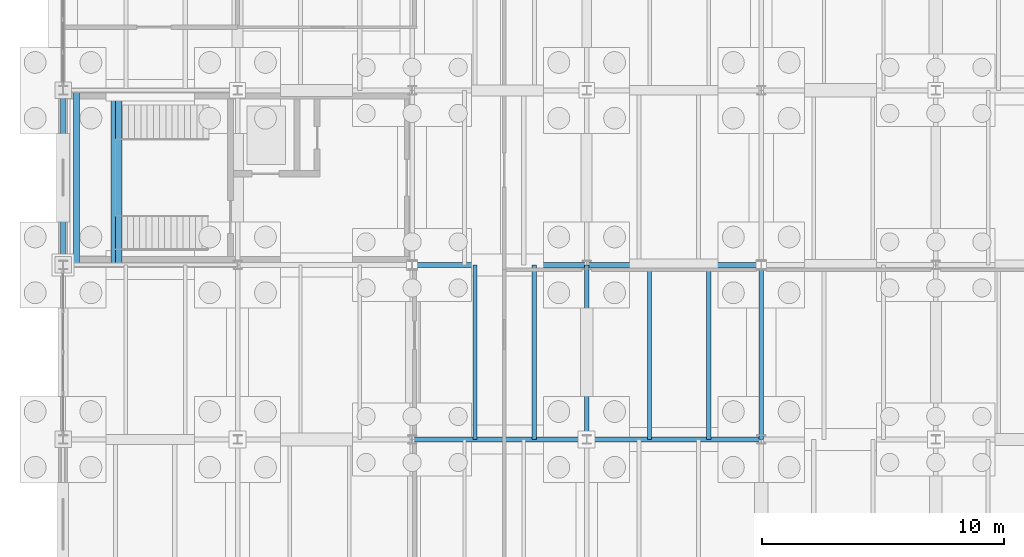
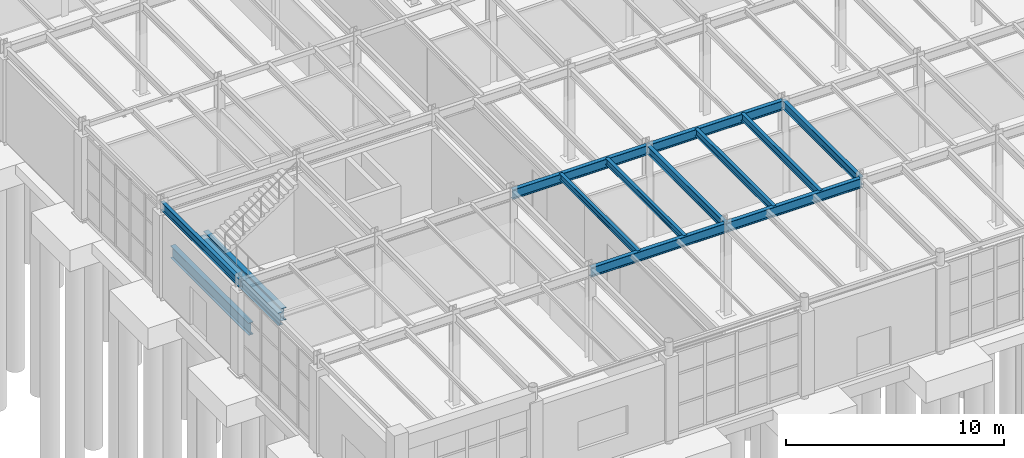
# One storey, part 45 of 293: 14 beams.
"""IFC4 building model written with IfcOpenShell, lengths in metres."""

from ifc_helpers import new_model, si_unit, direction, frame, origin, origin_2d, place, context, subcontext, project, spatial, i_section, extrude, material, material_profile, profile_set, type_object, element, save


model = new_model("IFC4")

# Units and contexts
model_context = context("Model", 3, precision=1e-05, world=origin(), true_north=direction((0.0, 1.0)))
body_context = subcontext(model_context, "Body", "Model", "MODEL_VIEW")
ifc_project = project(units=[si_unit("LENGTHUNIT", "METRE"), si_unit("AREAUNIT", "SQUARE_METRE"), si_unit("VOLUMEUNIT", "CUBIC_METRE"), si_unit("PLANEANGLEUNIT", "RADIAN"), si_unit("MASSUNIT", "GRAM", prefix="KILO")], contexts=[model_context])

# Site, building, storey
site_placement = place(None, origin())
site = spatial("IfcSite", under=ifc_project, at=site_placement, CompositionType="ELEMENT")
building_placement = place(site_placement, origin())
building = spatial("IfcBuilding", under=site, at=building_placement, Name="Kemerveld Promenade Tramway Depot", CompositionType="ELEMENT")
storey_placement = place(building_placement, origin())
storey = spatial("IfcBuildingStorey", under=building, at=storey_placement, Name="L00", CompositionType="ELEMENT", Elevation=0.0)

# Beams
ifc_material = material(Name="Steel S355", Category="steel")
ifc_material_profile_1 = material_profile(ifc_material, i_section(OverallWidth=0.25439453125, OverallDepth=0.6875, WebThickness=0.01318359375, FlangeThickness=0.02099609375, FilletRadius=0.01513671875, at=origin_2d()), Name="686x254x152 UB")
ifc_profile_set_1 = profile_set([ifc_material_profile_1], Name="Steel S355")
beam_type_1 = type_object("IfcBeamType", Name="BM-G03", PredefinedType="BEAM", material=ifc_profile_set_1)
for number, where, z_axis, x_axis, name in (
    (1, (0.550048828125, 14.39990234375, 2.15625), (0.0, 1.0, 0.0), (-1.0, 0.0, 0.0), "BM-HL-ST-01-L00-W"),
    (2, (2.110107421875, 14.39990234375, 2.15625), (0.0, 1.0, 0.0), (-1.0, 0.0, 0.0), "BM-HL-ST-01-L00-M"),
    (3, (2.300048828125, 14.39990234375, 2.356201171875), (0.0, 1.0, 0.0), (-1.0, 0.0, 0.0), "BM-HL-ST-01-L00-F2"),
):
    element("IfcBeam", number, at=place(storey_placement, frame(where, z_axis=z_axis, x_axis=x_axis)), inside=storey, type_object=beam_type_1, Name=name, PredefinedType="BEAM", context=body_context, shape_type="SweptSolid", body=[
        extrude(i_section(OverallWidth=0.25439453125, OverallDepth=0.6875, WebThickness=0.01318359375, FlangeThickness=0.02099609375, FilletRadius=0.01513671875, at=origin_2d()), origin(), (0.0, 0.0, 1.0), 7.2001953125),
    ])
ifc_material_profile_2 = material_profile(ifc_material, i_section(OverallWidth=0.2099609375, OverallDepth=0.53662109375, WebThickness=0.0107421875, FlangeThickness=0.017333984375, FilletRadius=0.0126953125, at=origin_2d()), Name="533x210x101 UB")
ifc_profile_set_2 = profile_set([ifc_material_profile_2], Name="Steel S355")
beam_type_2 = type_object("IfcBeamType", Name="BM-G05", PredefinedType="BEAM", material=ifc_profile_set_2)
beam_1_placement = place(storey_placement, frame((14.39990234375, 7.199951171875, 4.881591796875), z_axis=(1.0, 0.0, 0.0), x_axis=(0.0, 1.0, 0.0)))
element("IfcBeam", 4, at=beam_1_placement, inside=storey, type_object=beam_type_2, Name="BMX-L00-03-04-B", PredefinedType="BEAM", context=body_context, shape_type="SweptSolid", body=[
    extrude(i_section(OverallWidth=0.2099609375, OverallDepth=0.53662109375, WebThickness=0.0107421875, FlangeThickness=0.017333984375, FilletRadius=0.0126953125, at=origin_2d()), origin(), (0.0, 0.0, 1.0), 7.2001953125),
])
beam_2_placement = place(storey_placement, frame((21.60009765625, 7.199951171875, 4.881591796875), z_axis=(1.0, 0.0, 0.0), x_axis=(0.0, 1.0, 0.0)))
element("IfcBeam", 5, at=beam_2_placement, inside=storey, type_object=beam_type_2, Name="BMX-L00-04-05-B", PredefinedType="BEAM", context=body_context, shape_type="SweptSolid", body=[
    extrude(i_section(OverallWidth=0.2099609375, OverallDepth=0.53662109375, WebThickness=0.0107421875, FlangeThickness=0.017333984375, FilletRadius=0.0126953125, at=origin_2d()), origin(), (0.0, 0.0, 1.0), 7.199951171875),
])
beam_3_placement = place(storey_placement, frame((14.39990234375, 14.39990234375, 4.881591796875), z_axis=(1.0, 0.0, 0.0), x_axis=(0.0, 1.0, 0.0)))
element("IfcBeam", 6, at=beam_3_placement, inside=storey, type_object=beam_type_2, Name="BMX-L00-03-04-C", PredefinedType="BEAM", context=body_context, shape_type="SweptSolid", body=[
    extrude(i_section(OverallWidth=0.2099609375, OverallDepth=0.53662109375, WebThickness=0.0107421875, FlangeThickness=0.017333984375, FilletRadius=0.0126953125, at=origin_2d()), origin(), (0.0, 0.0, 1.0), 7.2001953125),
])
beam_4_placement = place(storey_placement, frame((21.60009765625, 14.39990234375, 4.881591796875), z_axis=(1.0, 0.0, 0.0), x_axis=(0.0, 1.0, 0.0)))
element("IfcBeam", 7, at=beam_4_placement, inside=storey, type_object=beam_type_2, Name="BMX-L00-04-05-C", PredefinedType="BEAM", context=body_context, shape_type="SweptSolid", body=[
    extrude(i_section(OverallWidth=0.2099609375, OverallDepth=0.53662109375, WebThickness=0.0107421875, FlangeThickness=0.017333984375, FilletRadius=0.0126953125, at=origin_2d()), origin(), (0.0, 0.0, 1.0), 7.199951171875),
])
ifc_material_profile_3 = material_profile(ifc_material, i_section(OverallWidth=0.19140625, OverallDepth=0.4599609375, WebThickness=0.010009765625, FlangeThickness=0.01611328125, FilletRadius=0.01025390625, at=origin_2d()), Name="457x191x82 UB")
ifc_profile_set_3 = profile_set([ifc_material_profile_3], Name="Steel S355")
beam_type_3 = type_object("IfcBeamType", Name="BM-G06", PredefinedType="BEAM", material=ifc_profile_set_3)
beam_5_placement = place(storey_placement, frame((0.0, 14.39990234375, 4.919921875), z_axis=(0.0, 1.0, 0.0), x_axis=(-1.0, 0.0, 0.0)))
element("IfcBeam", 8, at=beam_5_placement, inside=storey, type_object=beam_type_3, Name="BMY-L00-01-C-D", PredefinedType="BEAM", context=body_context, shape_type="SweptSolid", body=[
    extrude(i_section(OverallWidth=0.19140625, OverallDepth=0.4599609375, WebThickness=0.010009765625, FlangeThickness=0.01611328125, FilletRadius=0.01025390625, at=origin_2d()), origin(), (0.0, 0.0, 1.0), 7.2001953125),
])
for number, where, z_axis, x_axis, name in (
    (9, (21.60009765625, 7.199951171875, 4.919921875), (0.0, 1.0, 0.0), (-1.0, 0.0, 0.0), "BMY-L00-04-B-C"),
    (10, (28.800048828125, 7.199951171875, 4.919921875), (0.0, 1.0, 0.0), (-1.0, 0.0, 0.0), "BMY-L00-05-B-C"),
):
    element("IfcBeam", number, at=place(storey_placement, frame(where, z_axis=z_axis, x_axis=x_axis)), inside=storey, type_object=beam_type_3, Name=name, PredefinedType="BEAM", context=body_context, shape_type="SweptSolid", body=[
        extrude(i_section(OverallWidth=0.19140625, OverallDepth=0.4599609375, WebThickness=0.010009765625, FlangeThickness=0.01611328125, FilletRadius=0.01025390625, at=origin_2d()), origin(), (0.0, 0.0, 1.0), 7.199951171875),
    ])
ifc_material_profile_4 = material_profile(ifc_material, i_section(OverallWidth=0.172119140625, OverallDepth=0.35791015625, WebThickness=0.008056640625, FlangeThickness=0.012939453125, FilletRadius=0.01025390625, at=origin_2d()), Name="356x171x57 UB")
ifc_profile_set_4 = profile_set([ifc_material_profile_4], Name="Steel S355")
beam_type_4 = type_object("IfcBeamType", Name="BM-J04", PredefinedType="JOIST", material=ifc_profile_set_4)
for number, where, z_axis, x_axis, name in (
    (11, (16.991943359375, 7.199951171875, 4.970947265625), (0.0, 1.0, 0.0), (-1.0, 0.0, 0.0), "JST-L00-03-B-1"),
    (12, (19.43994140625, 7.199951171875, 4.970947265625), (0.0, 1.0, 0.0), (-1.0, 0.0, 0.0), "JST-L00-03-B-2"),
):
    element("IfcBeam", number, at=place(storey_placement, frame(where, z_axis=z_axis, x_axis=x_axis)), inside=storey, type_object=beam_type_4, Name=name, PredefinedType="JOIST", context=body_context, shape_type="SweptSolid", body=[
        extrude(i_section(OverallWidth=0.172119140625, OverallDepth=0.35791015625, WebThickness=0.008056640625, FlangeThickness=0.012939453125, FilletRadius=0.01025390625, at=origin_2d()), origin(), (0.0, 0.0, 1.0), 7.199951171875),
    ])
ifc_material_profile_5 = material_profile(ifc_material, i_section(OverallWidth=0.1787109375, OverallDepth=0.409423828125, WebThickness=0.0087890625, FlangeThickness=0.014404296875, FilletRadius=0.01025390625, at=origin_2d()), Name="406x178x67 UB")
ifc_profile_set_5 = profile_set([ifc_material_profile_5], Name="Steel S355")
beam_type_5 = type_object("IfcBeamType", Name="BM-J05", PredefinedType="JOIST", material=ifc_profile_set_5)
for number, where, z_axis, x_axis, name in (
    (13, (24.19189453125, 7.199951171875, 4.9453125), (0.0, 1.0, 0.0), (-1.0, 0.0, 0.0), "JST-L00-04-B-1"),
    (14, (26.639892578125, 7.199951171875, 4.9453125), (0.0, 1.0, 0.0), (-1.0, 0.0, 0.0), "JST-L00-04-B-2"),
):
    element("IfcBeam", number, at=place(storey_placement, frame(where, z_axis=z_axis, x_axis=x_axis)), inside=storey, type_object=beam_type_5, Name=name, PredefinedType="JOIST", context=body_context, shape_type="SweptSolid", body=[
        extrude(i_section(OverallWidth=0.1787109375, OverallDepth=0.409423828125, WebThickness=0.0087890625, FlangeThickness=0.014404296875, FilletRadius=0.01025390625, at=origin_2d()), origin(), (0.0, 0.0, 1.0), 7.199951171875),
    ])

save(model, "model.ifc")
